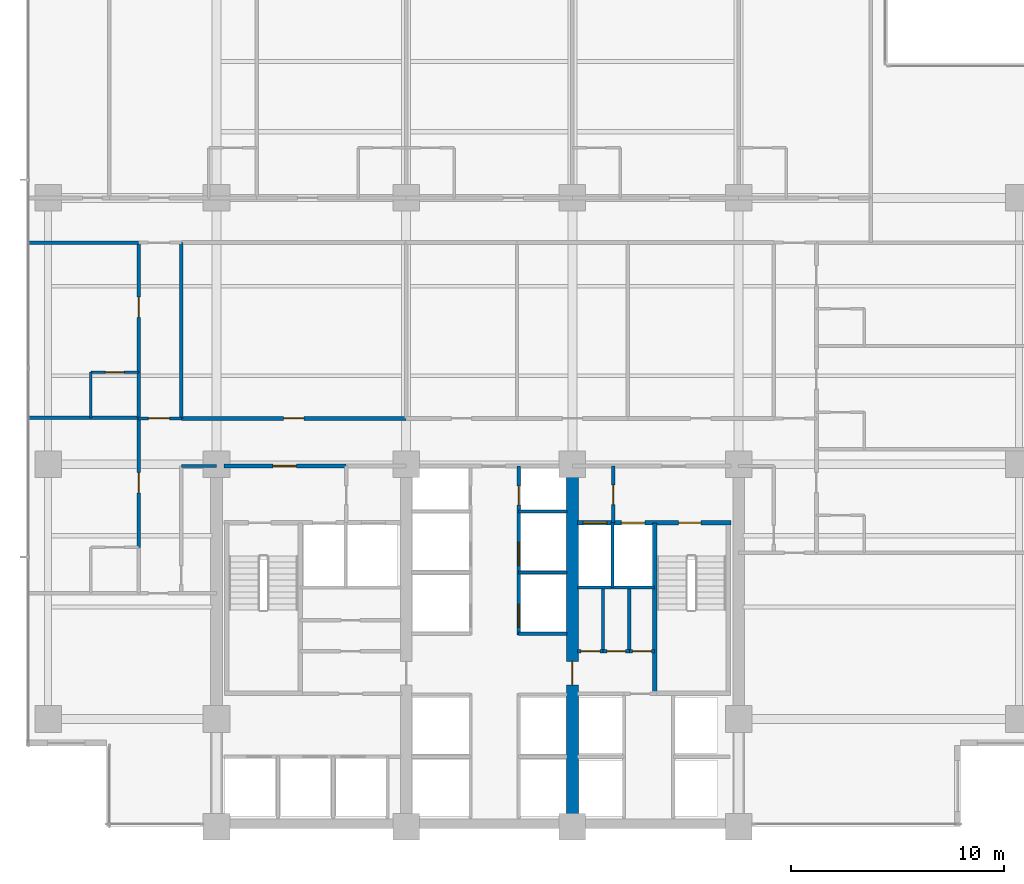
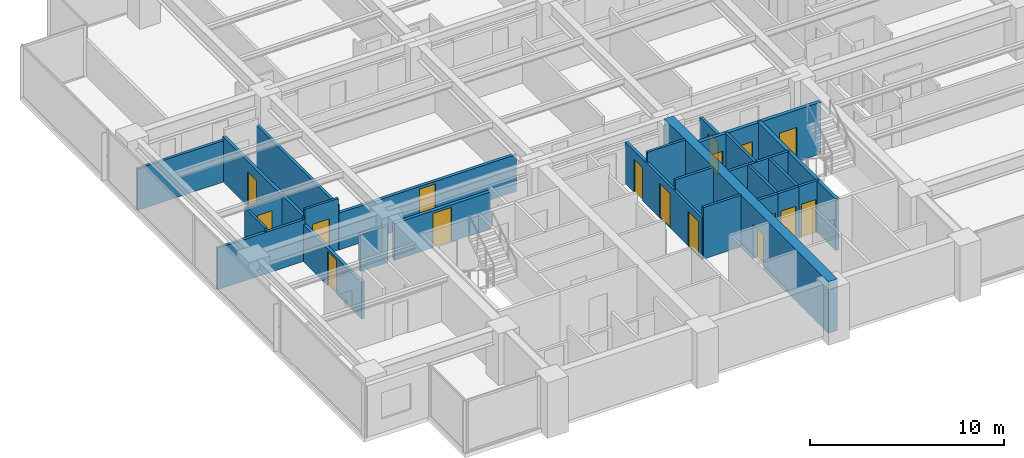
# One storey, part 9 of 17: 27 walls, 17 doors, 17 openings.
"""IFC4 building model written with IfcOpenShell, lengths in metres."""

import ifcopenshell
import ifcopenshell.guid

model = None  # the IFC model being written
_history = None  # IfcOwnerHistory: only IFC2X3 demands one
_inside = {}  # id of a spatial element -> (the spatial element, [elements in it])
_under = {}  # id of a project, library or spatial element -> (it, [spatial elements below it])
_declared = {}  # id of a project -> (the project, [libraries it declares])
_typed = {}  # id of a type object -> (the type object, [elements of that type])
_made_of = {}  # id of a material, layer set ... -> (it, [elements and type objects made of it])


def new_model(schema):
    """Start an empty IFC model of exactly this schema.

    Asked for "IFC4X3", IfcOpenShell would pick the latest addendum, in which some entities
    have other attributes; the version numbers below select the first issue.
    IFC2X3 requires an IfcOwnerHistory on every rooted entity: one is made here for all.
    """
    global model, _history
    if schema == "IFC4X3":
        model = ifcopenshell.file(schema_version=(4, 3, 0, 0))
    else:
        model = ifcopenshell.file(schema=schema)
    _inside.clear()
    _under.clear()
    _declared.clear()
    _typed.clear()
    _made_of.clear()
    _history = None
    if model.schema == "IFC2X3":
        org = make("IfcOrganization", Name="unknown")
        user = make(
            "IfcPersonAndOrganization",
            ThePerson=make("IfcPerson", FamilyName="unknown"),
            TheOrganization=org,
        )
        app = make(
            "IfcApplication",
            ApplicationDeveloper=org,
            Version="unknown",
            ApplicationFullName="unknown",
            ApplicationIdentifier="unknown",
        )
        _history = make(
            "IfcOwnerHistory",
            OwningUser=user,
            OwningApplication=app,
            ChangeAction="ADDED",
            CreationDate=0,
        )
    return model


def make(cls, **values):
    """One entity of the class cls with the attributes given. An attribute that is None is left unset."""
    return model.create_entity(
        cls, **{name: value for name, value in values.items() if value is not None}
    )


def rooted(cls, **values):
    """An entity with a GlobalId (a new one), such as an element, a storey or a relation."""
    return make(cls, GlobalId=ifcopenshell.guid.new(), OwnerHistory=_history, **values)


def si_unit(unit_type, name, prefix=None):
    """IfcSIUnit, for example si_unit("LENGTHUNIT", "METRE", prefix="MILLI")."""
    return make("IfcSIUnit", UnitType=unit_type, Prefix=prefix, Name=name)


def assignment(units):
    """IfcUnitAssignment: the units of a project."""
    return None if units is None else make("IfcUnitAssignment", Units=units)


def point(xyz):
    """IfcCartesianPoint."""
    return None if xyz is None else make("IfcCartesianPoint", Coordinates=xyz)


def direction(xyz):
    """IfcDirection."""
    return None if xyz is None else make("IfcDirection", DirectionRatios=xyz)


def frame(location, z_axis=None, x_axis=None):
    """IfcAxis2Placement3D, a coordinate frame: its origin and axes. An axis left out is left unset."""
    return make(
        "IfcAxis2Placement3D",
        Location=point(location),
        Axis=direction(z_axis),
        RefDirection=direction(x_axis),
    )


def frame_2d(location, x_axis=None):
    """IfcAxis2Placement2D, a coordinate frame in the plane: its origin and x axis."""
    return make(
        "IfcAxis2Placement2D", Location=point(location), RefDirection=direction(x_axis)
    )


def origin():
    """The frame at (0, 0, 0) with its axes left unset."""
    return frame((0.0, 0.0, 0.0))


def place(relative_to, where):
    """IfcLocalPlacement: puts the frame where relative to a parent placement (None: the world)."""
    return make(
        "IfcLocalPlacement", PlacementRelTo=relative_to, RelativePlacement=where
    )


def context(
    kind, dimensions, precision=None, world=None, true_north=None, identifier=None
):
    """IfcGeometricRepresentationContext, for example the 3D "Model" context."""
    return make(
        "IfcGeometricRepresentationContext",
        ContextIdentifier=identifier,
        ContextType=kind,
        CoordinateSpaceDimension=dimensions,
        Precision=precision,
        WorldCoordinateSystem=world,
        TrueNorth=true_north,
    )


def subcontext(parent, identifier, kind, view, scale=None):
    """IfcGeometricRepresentationSubContext, for example "Body" below "Model"."""
    return make(
        "IfcGeometricRepresentationSubContext",
        ContextIdentifier=identifier,
        ContextType=kind,
        ParentContext=parent,
        TargetScale=scale,
        TargetView=view,
    )


def project(units=None, contexts=None):
    """IfcProject with its units and contexts."""
    return rooted(
        "IfcProject",
        Name="project",
        RepresentationContexts=contexts,
        UnitsInContext=assignment(units),
    )


def spatial(cls, under=None, at=None, **own):
    """A site, building, storey or space (cls), placed at a placement, below another one or the project."""
    s = rooted(cls, ObjectPlacement=at, **own)
    if under is not None:
        _under.setdefault(under.id(), (under, []))[1].append(s)
    return s


def profile(cls, at=None, kind="AREA", **sizes):
    """A parametric profile (cls). Its sizes go by their IFC names, for example OverallWidth=200.0."""
    return make(cls, ProfileType=kind, Position=at, **sizes)


def rectangle(**sizes):
    """IfcRectangleProfileDef."""
    return profile("IfcRectangleProfileDef", **sizes)


def extrude(swept, where, along, depth):
    """IfcExtrudedAreaSolid: the profile swept, set in the frame where, extruded along a direction by depth."""
    return make(
        "IfcExtrudedAreaSolid",
        SweptArea=swept,
        Position=where,
        ExtrudedDirection=direction(along),
        Depth=depth,
    )


def shape(context_of_items, identifier, shape_type, items):
    """IfcShapeRepresentation: the items that make up one representation, for example the "Body"."""
    return make(
        "IfcShapeRepresentation",
        ContextOfItems=context_of_items,
        RepresentationIdentifier=identifier,
        RepresentationType=shape_type,
        Items=items,
    )


def material(Name=None, Category=None):
    """IfcMaterial."""
    return make("IfcMaterial", Name=Name, Category=Category)


def layer(
    of_material, thickness, ventilated=None, Name=None, Category=None, Priority=None
):
    """IfcMaterialLayer: one layer of a wall or slab, of a material (None: an air gap)."""
    return make(
        "IfcMaterialLayer",
        Material=of_material,
        LayerThickness=thickness,
        IsVentilated=ventilated,
        Name=Name,
        Category=Category,
        Priority=Priority,
    )


def layer_set(layers, Name=None):
    """IfcMaterialLayerSet."""
    return make("IfcMaterialLayerSet", MaterialLayers=layers, LayerSetName=Name)


def made_of(thing, what):
    """Note that an element or type object is made of a material, layer set ...; save() writes the relation."""
    if what is not None:
        _made_of.setdefault(what.id(), (what, []))[1].append(thing)
    return thing


def type_object(cls, material=None, **own):
    """A type object (cls), such as IfcWallType, which elements share."""
    return made_of(rooted(cls, **own), material)


def element(
    cls,
    number,
    at=None,
    inside=None,
    cuts=None,
    type_object=None,
    material=None,
    context=None,
    identifier="Body",
    shape_type=None,
    held_by="IfcProductDefinitionShape",
    body=None,
    shapes=None,
    **own,
):
    """One element of the class cls, such as IfcWall. Its Tag is "e" and its number.

    at: its placement. inside: the storey or other place that contains it. cuts: it is an
    opening in that element (IfcRelVoidsElement). A single representation is given by context,
    identifier, shape_type and body (its items); several are given by shapes. held_by: the class
    of the entity that holds the representations. save() writes the other relations.
    """
    e = rooted(cls, Tag="e%d" % number, ObjectPlacement=at, **own)
    if body is not None:
        shapes = [shape(context, identifier, shape_type, body)]
    if shapes is not None:
        e.Representation = make(held_by, Representations=shapes)
    if inside is not None:
        _inside.setdefault(inside.id(), (inside, []))[1].append(e)
    if cuts is not None:
        rooted(
            "IfcRelVoidsElement", RelatingBuildingElement=cuts, RelatedOpeningElement=e
        )
    if type_object is not None:
        _typed.setdefault(type_object.id(), (type_object, []))[1].append(e)
    return made_of(e, material)


def fill(opening, filler):
    """IfcRelFillsElement: the door or window that sits in an opening."""
    return rooted(
        "IfcRelFillsElement",
        RelatingOpeningElement=opening,
        RelatedBuildingElement=filler,
    )


def aggregate(whole, parts):
    """IfcRelAggregates: a whole, such as a stair, and the parts it consists of."""
    return rooted("IfcRelAggregates", RelatingObject=whole, RelatedObjects=parts)


def save(model, path):
    """Write the relations noted so far, then the file.

    IfcRelAggregates (storeys below a building ...), IfcRelContainedInSpatialStructure (elements
    in a storey), IfcRelDefinesByType, IfcRelAssociatesMaterial and IfcRelDeclares: one each for
    every whole, place, type object, material and project.
    """
    for whole, parts in _under.values():
        aggregate(whole, parts)
    for where, things in _inside.values():
        rooted(
            "IfcRelContainedInSpatialStructure",
            RelatedElements=things,
            RelatingStructure=where,
        )
    for kind, things in _typed.values():
        rooted("IfcRelDefinesByType", RelatedObjects=things, RelatingType=kind)
    for what, things in _made_of.values():
        rooted("IfcRelAssociatesMaterial", RelatedObjects=things, RelatingMaterial=what)
    for by, libraries in _declared.values():
        rooted("IfcRelDeclares", RelatingContext=by, RelatedDefinitions=libraries)
    model.write(path)


model = new_model("IFC4")

# Units and contexts
model_context = context("Model", 3, precision=1e-05, world=origin(), true_north=direction((0.0, 1.0)))
body_context = subcontext(model_context, "Body", "Model", "MODEL_VIEW")
ifc_project = project(units=[si_unit("LENGTHUNIT", "METRE"), si_unit("AREAUNIT", "SQUARE_METRE"), si_unit("VOLUMEUNIT", "CUBIC_METRE"), si_unit("PLANEANGLEUNIT", "RADIAN"), si_unit("MASSUNIT", "GRAM", prefix="KILO")], contexts=[model_context])

# Site, building, storey
site_placement = place(None, origin())
site = spatial("IfcSite", under=ifc_project, at=site_placement, CompositionType="ELEMENT")
building_placement = place(site_placement, origin())
building = spatial("IfcBuilding", under=site, at=building_placement, Name="Qalmaran Belvedere Hotel", CompositionType="ELEMENT")
storey_placement = place(building_placement, frame((0.0, 0.0, 88.199951171875)))
storey = spatial("IfcBuildingStorey", under=building, at=storey_placement, Name="L21", CompositionType="ELEMENT", Elevation=88.199951171875)

# Wall, opening, door
ifc_material_1 = material(Name="Concrete C60/75", Category="concrete")
ifc_layer_1 = layer(ifc_material_1, 0.550048828125, Name="Concrete C60/75")
ifc_layer_set_1 = layer_set([ifc_layer_1], Name="Concrete C60/75")
wall_type_1 = type_object("IfcWallType", Name="WL-CORE-550-C60", PredefinedType="SHEAR", material=ifc_layer_set_1)
wall_1_placement = place(storey_placement, frame((37.0, 3.5, 0.0), z_axis=(0.0, 0.0, 1.0), x_axis=(0.0, 1.0, 0.0)))
wall_1 = element("IfcWall", 1, at=wall_1_placement, inside=storey, type_object=wall_type_1, Name="L21 Core East Spine Shear Wall", PredefinedType="SHEAR", context=body_context, shape_type="SweptSolid", body=[
    extrude(rectangle(XDim=16.89990234375, YDim=0.550048828125, at=frame_2d((8.449951171875, 0.0))), origin(), (0.0, 0.0, 1.0), 3.239990234375),
])
opening_1_placement = place(wall_1_placement, frame((6.64990234375, 0.0, 0.0)))
opening_1 = element("IfcOpeningElement", 2, at=opening_1_placement, cuts=wall_1, Name="Opening FD90", PredefinedType="OPENING", context=body_context, shape_type="SweptSolid", body=[
    extrude(rectangle(XDim=1.10009765625, YDim=2.14990234375, at=frame_2d((0.550048828125, 1.074951171875))), frame((0.0, 0.28515625, 0.0), z_axis=(0.0, -1.0, 0.0), x_axis=(1.0, 0.0, 0.0)), (0.0, 0.0, 1.0), 0.570068359375),
])
ifc_material_2 = material(Name="Steel S355JR", Category="steel")
door_type_1 = type_object("IfcDoorType", Name="DR-FD90-1100X2150", OperationType="NOTDEFINED", PredefinedType="DOOR", material=ifc_material_2)
door_1_placement = place(opening_1_placement, origin())
door_1 = element("IfcDoor", 3, at=door_1_placement, inside=storey, type_object=door_type_1, Name="L21 Core East Cross-Lobby Door", OperationType="SINGLE_SWING_RIGHT", OverallHeight=2.14990234375, OverallWidth=1.10009765625, PredefinedType="DOOR", context=body_context, shape_type="SweptSolid", body=[
    extrude(rectangle(XDim=1.10009765625, YDim=2.14990234375, at=frame_2d((0.550048828125, 1.074951171875))), frame((0.0, 0.02490234375, 0.0), z_axis=(0.0, -1.0, 0.0), x_axis=(1.0, 0.0, 0.0)), (0.0, 0.0, 1.0), 0.050048828125),
])
fill(opening_1, door_1)

ifc_material_3 = material(Name="Moisture-Resistant Gypsum")
ifc_layer_2 = layer(ifc_material_3, 0.1201171875, Name="Moisture-Resistant Gypsum")
ifc_layer_set_2 = layer_set([ifc_layer_2], Name="Moisture-Resistant Gypsum")
wall_type_2 = type_object("IfcWallType", Name="WL-INT-120-BATH", PredefinedType="PARTITIONING", material=ifc_layer_set_2)
wall_2_placement = place(storey_placement, frame((14.39990234375, 24.824951171875, 0.0), z_axis=(0.0, 0.0, 1.0), x_axis=(1.0, 0.0, 0.0)))
wall_2 = element("IfcWall", 4, at=wall_2_placement, inside=storey, type_object=wall_type_2, Name="L21 Partition WL-L21-WBN01", PredefinedType="PARTITIONING", context=body_context, shape_type="SweptSolid", body=[
    extrude(rectangle(XDim=2.25, YDim=0.1201171875, at=frame_2d((1.125, 0.0))), origin(), (0.0, 0.0, 1.0), 2.818115234375),
])
opening_2_placement = place(wall_2_placement, frame((1.56494140625, 0.0, 0.0), z_axis=(0.0, 0.0, 1.0), x_axis=(-1.0, 0.0, 0.0)))
opening_2 = element("IfcOpeningElement", 5, at=opening_2_placement, cuts=wall_2, Name="Opening D-BATH", PredefinedType="OPENING", context=body_context, shape_type="SweptSolid", body=[
    extrude(rectangle(XDim=0.8798828125, YDim=2.080078125, at=frame_2d((0.43994140625, 1.0400390625))), frame((0.0, 0.070068359375, 0.0), z_axis=(0.0, -1.0, 0.0), x_axis=(1.0, 0.0, 0.0)), (0.0, 0.0, 1.0), 0.14013671875),
])
ifc_material_4 = material(Name="Engineered Oak Veneer")
door_type_2 = type_object("IfcDoorType", Name="DR-INT-BATH-880X2080", OperationType="NOTDEFINED", PredefinedType="DOOR", material=ifc_material_4)
door_2_placement = place(opening_2_placement, origin())
door_2 = element("IfcDoor", 6, at=door_2_placement, inside=storey, type_object=door_type_2, Name="L21 W Ensuite Door 02", OperationType="SINGLE_SWING_LEFT", OverallHeight=2.080078125, OverallWidth=0.8798828125, PredefinedType="DOOR", context=body_context, shape_type="SweptSolid", body=[
    extrude(rectangle(XDim=0.8798828125, YDim=2.080078125, at=frame_2d((0.43994140625, 1.0400390625))), frame((0.0, 0.02490234375, 0.0), z_axis=(0.0, -1.0, 0.0), x_axis=(1.0, 0.0, 0.0)), (0.0, 0.0, 1.0), 0.050048828125),
])
fill(opening_2, door_2)

# Walls
wall_3_placement = place(storey_placement, frame((14.39990234375, 22.675048828125, 0.0), z_axis=(0.0, 0.0, 1.0), x_axis=(0.0, 1.0, 0.0)))
element("IfcWall", 7, at=wall_3_placement, inside=storey, type_object=wall_type_2, Name="L21 Partition WL-L21-WBS01", PredefinedType="PARTITIONING", context=body_context, shape_type="SweptSolid", body=[
    extrude(rectangle(XDim=2.14990234375, YDim=0.1201171875, at=frame_2d((1.074951171875, 0.0))), origin(), (0.0, 0.0, 1.0), 2.818115234375),
])
ifc_material_5 = material(Name="Gypsum Stud Partition")
ifc_layer_3 = layer(ifc_material_5, 0.14990234375, Name="Gypsum Stud Partition")
ifc_layer_set_3 = layer_set([ifc_layer_3], Name="Gypsum Stud Partition")
wall_type_3 = type_object("IfcWallType", Name="WL-INT-150-EI120", PredefinedType="PARTITIONING", material=ifc_layer_set_3)
wall_4_placement = place(storey_placement, frame((38.8798828125, 14.719970703125, 0.0), z_axis=(0.0, 0.0, 1.0), x_axis=(0.0, 1.0, 0.0)))
element("IfcWall", 8, at=wall_4_placement, inside=storey, type_object=wall_type_3, Name="L21 Partition WL-FF2M-L21", PredefinedType="PARTITIONING", context=body_context, shape_type="SweptSolid", body=[
    extrude(rectangle(XDim=3.0400390625, YDim=0.14990234375, at=frame_2d((1.52001953125, 0.0))), origin(), (0.0, 0.0, 1.0), 3.239990234375),
])
for number, where, z_axis, x_axis, name in (
    (9, (34.47998046875, 12.550048828125, 0.0), (0.0, 0.0, 1.0), (1.0, 0.0, 0.0), "L21 Partition WL-PME-L21-125"),
    (10, (34.47998046875, 15.419921875, 0.0), (0.0, 0.0, 1.0), (1.0, 0.0, 0.0), "L21 Partition WL-PME-L21-154"),
    (11, (34.47998046875, 18.280029296875, 0.0), (0.0, 0.0, 1.0), (1.0, 0.0, 0.0), "L21 Partition WL-PME-L21-182"),
):
    element("IfcWall", number, at=place(storey_placement, frame(where, z_axis=z_axis, x_axis=x_axis)), inside=storey, type_object=wall_type_3, Name=name, PredefinedType="PARTITIONING", context=body_context, shape_type="SweptSolid", body=[
        extrude(rectangle(XDim=2.27001953125, YDim=0.14990234375, at=frame_2d((1.135009765625, 0.0))), origin(), (0.0, 0.0, 1.0), 3.239990234375),
    ])
ifc_layer_4 = layer(ifc_material_5, 0.14990234375, Name="Gypsum Stud Partition")
ifc_layer_set_4 = layer_set([ifc_layer_4], Name="Gypsum Stud Partition")
wall_type_4 = type_object("IfcWallType", Name="WL-INT-150-EI60", PredefinedType="PARTITIONING", material=ifc_layer_set_4)
for number, where, z_axis, x_axis, name in (
    (12, (38.44140625, 11.719970703125, 0.0), (0.0, 0.0, 1.0), (0.0, 1.0, 0.0), "L21 Partition WL-L21-KEV1"),
    (13, (39.668701171875, 11.719970703125, 0.0), (0.0, 0.0, 1.0), (0.0, 1.0, 0.0), "L21 Partition WL-L21-KEV2"),
):
    element("IfcWall", number, at=place(storey_placement, frame(where, z_axis=z_axis, x_axis=x_axis)), inside=storey, type_object=wall_type_4, Name=name, PredefinedType="PARTITIONING", context=body_context, shape_type="SweptSolid", body=[
        extrude(rectangle(XDim=2.929931640625, YDim=0.14990234375, at=frame_2d((1.46484375, 0.0))), origin(), (0.0, 0.0, 1.0), 3.239990234375),
    ])

# Wall, opening, door
wall_5_placement = place(storey_placement, frame((16.64990234375, 22.64990234375, 0.0), z_axis=(0.0, 0.0, 1.0), x_axis=(1.0, 0.0, 0.0)))
wall_5 = element("IfcWall", 14, at=wall_5_placement, inside=storey, type_object=wall_type_4, Name="L21 Partition WL-L21-XCW1", PredefinedType="PARTITIONING", context=body_context, shape_type="SweptSolid", body=[
    extrude(rectangle(XDim=2.0, YDim=0.14990234375, at=frame_2d((1.0, 0.0))), origin(), (0.0, 0.0, 1.0), 3.239990234375),
])
opening_3_placement = place(wall_5_placement, frame((0.449951171875, 0.0, 0.0)))
opening_3 = element("IfcOpeningElement", 15, at=opening_3_placement, cuts=wall_5, Name="Opening FD90B", PredefinedType="OPENING", context=body_context, shape_type="SweptSolid", body=[
    extrude(rectangle(XDim=1.0, YDim=2.14990234375, at=frame_2d((0.5, 1.074951171875))), frame((0.0, 0.0849609375, 0.0), z_axis=(0.0, -1.0, 0.0), x_axis=(1.0, 0.0, 0.0)), (0.0, 0.0, 1.0), 0.169921875),
])
door_type_3 = type_object("IfcDoorType", Name="DR-FD90B-1000X2150", OperationType="NOTDEFINED", PredefinedType="DOOR", material=ifc_material_2)
door_3_placement = place(opening_3_placement, origin())
door_3 = element("IfcDoor", 16, at=door_3_placement, inside=storey, type_object=door_type_3, Name="L21 West Corridor Smoke Door S", OperationType="SINGLE_SWING_LEFT", OverallHeight=2.14990234375, OverallWidth=1.0, PredefinedType="DOOR", context=body_context, shape_type="SweptSolid", body=[
    extrude(rectangle(XDim=1.0, YDim=2.14990234375, at=frame_2d((0.5, 1.074951171875))), frame((0.0, 0.02490234375, 0.0), z_axis=(0.0, -1.0, 0.0), x_axis=(1.0, 0.0, 0.0)), (0.0, 0.0, 1.0), 0.050048828125),
])
fill(opening_3, door_3)

ifc_layer_5 = layer(ifc_material_5, 0.159912109375, Name="Gypsum Stud Partition")
ifc_layer_set_5 = layer_set([ifc_layer_5], Name="Gypsum Stud Partition")
wall_type_5 = type_object("IfcWallType", Name="WL-INT-160-EI120", PredefinedType="PARTITIONING", material=ifc_layer_set_5)
wall_6_placement = place(storey_placement, frame((38.919921875, 17.760009765625, 0.0), z_axis=(0.0, 0.0, 1.0), x_axis=(0.0, 1.0, 0.0)))
wall_6 = element("IfcWall", 17, at=wall_6_placement, inside=storey, type_object=wall_type_5, Name="L21 Partition WL-FFSV2-L21", PredefinedType="PARTITIONING", context=body_context, shape_type="SweptSolid", body=[
    extrude(rectangle(XDim=2.659912109375, YDim=0.159912109375, at=frame_2d((1.330078125, 0.0))), origin(), (0.0, 0.0, 1.0), 2.614013671875),
])
opening_4_placement = place(wall_6_placement, frame((1.77001953125, 0.0, 0.0), z_axis=(0.0, 0.0, 1.0), x_axis=(-1.0, 0.0, 0.0)))
opening_4 = element("IfcOpeningElement", 18, at=opening_4_placement, cuts=wall_6, Name="Opening FD60S1", PredefinedType="OPENING", context=body_context, shape_type="SweptSolid", body=[
    extrude(rectangle(XDim=0.919921875, YDim=2.080078125, at=frame_2d((0.4599609375, 1.0400390625))), frame((0.0, 0.08984375, 0.0), z_axis=(0.0, -1.0, 0.0), x_axis=(1.0, 0.0, 0.0)), (0.0, 0.0, 1.0), 0.179931640625),
])
door_type_4 = type_object("IfcDoorType", Name="DR-FD60S-920X2080", OperationType="NOTDEFINED", PredefinedType="DOOR", material=ifc_material_4)
door_4_placement = place(opening_4_placement, origin())
door_4 = element("IfcDoor", 19, at=door_4_placement, inside=storey, type_object=door_type_4, Name="L21 Service Lobby East Door", OperationType="SINGLE_SWING_RIGHT", OverallHeight=2.080078125, OverallWidth=0.919921875, PredefinedType="DOOR", context=body_context, shape_type="SweptSolid", body=[
    extrude(rectangle(XDim=0.919921875, YDim=2.080078125, at=frame_2d((0.4599609375, 1.0400390625))), frame((0.0, 0.02490234375, 0.0), z_axis=(0.0, -1.0, 0.0), x_axis=(1.0, 0.0, 0.0)), (0.0, 0.0, 1.0), 0.050048828125),
])
fill(opening_4, door_4)

# Wall
wall_7_placement = place(storey_placement, frame((37.25, 14.719970703125, 0.0), z_axis=(0.0, 0.0, 1.0), x_axis=(1.0, 0.0, 0.0)))
element("IfcWall", 20, at=wall_7_placement, inside=storey, type_object=wall_type_5, Name="L21 Partition WL-FF2S-L21", PredefinedType="PARTITIONING", context=body_context, shape_type="SweptSolid", body=[
    extrude(rectangle(XDim=3.610107421875, YDim=0.159912109375, at=frame_2d((1.80517578125, 0.0))), origin(), (0.0, 0.0, 1.0), 3.239990234375),
])

# Wall, openings, doors
wall_8_placement = place(storey_placement, frame((34.47998046875, 12.5, 0.0), z_axis=(0.0, 0.0, 1.0), x_axis=(0.0, 1.0, 0.0)))
wall_8 = element("IfcWall", 21, at=wall_8_placement, inside=storey, type_object=wall_type_5, Name="L21 Partition WL-CLBEN-L21", PredefinedType="PARTITIONING", context=body_context, shape_type="SweptSolid", body=[
    extrude(rectangle(XDim=7.919921875, YDim=0.159912109375, at=frame_2d((3.9599609375, 0.0))), origin(), (0.0, 0.0, 1.0), 2.614013671875),
])
opening_5_placement = place(wall_8_placement, frame((0.35009765625, 0.0, 0.0)))
opening_5 = element("IfcOpeningElement", 22, at=opening_5_placement, cuts=wall_8, Name="Opening LD-P1", PredefinedType="OPENING", context=body_context, shape_type="SweptSolid", body=[
    extrude(rectangle(XDim=1.080078125, YDim=2.159912109375, at=frame_2d((0.5400390625, 1.080078125))), frame((0.0, 0.08984375, 0.0), z_axis=(0.0, -1.0, 0.0), x_axis=(1.0, 0.0, 0.0)), (0.0, 0.0, 1.0), 0.179931640625),
])
opening_6_placement = place(wall_8_placement, frame((3.25, 0.0, 0.0)))
opening_6 = element("IfcOpeningElement", 23, at=opening_6_placement, cuts=wall_8, Name="Opening LD-P1", PredefinedType="OPENING", context=body_context, shape_type="SweptSolid", body=[
    extrude(rectangle(XDim=1.080078125, YDim=2.159912109375, at=frame_2d((0.5400390625, 1.080078125))), frame((0.0, 0.08984375, 0.0), z_axis=(0.0, -1.0, 0.0), x_axis=(1.0, 0.0, 0.0)), (0.0, 0.0, 1.0), 0.179931640625),
])
opening_7_placement = place(wall_8_placement, frame((6.97998046875, 0.0, 0.0), z_axis=(0.0, 0.0, 1.0), x_axis=(-1.0, 0.0, 0.0)))
opening_7 = element("IfcOpeningElement", 24, at=opening_7_placement, cuts=wall_8, Name="Opening FD60B", PredefinedType="OPENING", context=body_context, shape_type="SweptSolid", body=[
    extrude(rectangle(XDim=0.8798828125, YDim=2.080078125, at=frame_2d((0.43994140625, 1.0400390625))), frame((0.0, 0.08984375, 0.0), z_axis=(0.0, -1.0, 0.0), x_axis=(1.0, 0.0, 0.0)), (0.0, 0.0, 1.0), 0.179931640625),
])
door_type_5 = type_object("IfcDoorType", Name="DR-FD60B-880X2080", OperationType="NOTDEFINED", PredefinedType="DOOR", material=ifc_material_2)
door_5_placement = place(opening_7_placement, origin())
door_5 = element("IfcDoor", 25, at=door_5_placement, inside=storey, type_object=door_type_5, Name="L21 East Riser Access Door", OperationType="SINGLE_SWING_RIGHT", OverallHeight=2.080078125, OverallWidth=0.8798828125, PredefinedType="DOOR", context=body_context, shape_type="SweptSolid", body=[
    extrude(rectangle(XDim=0.8798828125, YDim=2.080078125, at=frame_2d((0.43994140625, 1.0400390625))), frame((0.0, 0.02490234375, 0.0), z_axis=(0.0, -1.0, 0.0), x_axis=(1.0, 0.0, 0.0)), (0.0, 0.0, 1.0), 0.050048828125),
])
fill(opening_7, door_5)
ifc_material_6 = material(Name="Stainless Steel 1.4401", Category="steel")
door_type_6 = type_object("IfcDoorType", Name="DR-LIFT-P1-1080X2160", OperationType="DOUBLE_DOOR_SLIDING", PredefinedType="DOOR", material=ifc_material_6)
door_6_placement = place(opening_5_placement, origin())
door_6 = element("IfcDoor", 26, at=door_6_placement, inside=storey, type_object=door_type_6, Name="L21 PM3 Lift Landing Door", OperationType="DOUBLE_DOOR_SLIDING", OverallHeight=2.159912109375, OverallWidth=1.080078125, PredefinedType="DOOR", context=body_context, shape_type="SweptSolid", body=[
    extrude(rectangle(XDim=1.080078125, YDim=2.159912109375, at=frame_2d((0.5400390625, 1.080078125))), frame((0.0, 0.02490234375, 0.0), z_axis=(0.0, -1.0, 0.0), x_axis=(1.0, 0.0, 0.0)), (0.0, 0.0, 1.0), 0.050048828125),
])
fill(opening_5, door_6)
door_7_placement = place(opening_6_placement, origin())
door_7 = element("IfcDoor", 27, at=door_7_placement, inside=storey, type_object=door_type_6, Name="L21 PM4 Lift Landing Door", OperationType="DOUBLE_DOOR_SLIDING", OverallHeight=2.159912109375, OverallWidth=1.080078125, PredefinedType="DOOR", context=body_context, shape_type="SweptSolid", body=[
    extrude(rectangle(XDim=1.080078125, YDim=2.159912109375, at=frame_2d((0.5400390625, 1.080078125))), frame((0.0, 0.02490234375, 0.0), z_axis=(0.0, -1.0, 0.0), x_axis=(1.0, 0.0, 0.0)), (0.0, 0.0, 1.0), 0.050048828125),
])
fill(opening_6, door_7)

# Wall, opening, door
ifc_layer_6 = layer(ifc_material_5, 0.159912109375, Name="Gypsum Stud Partition")
ifc_layer_set_6 = layer_set([ifc_layer_6], Name="Gypsum Stud Partition")
wall_type_6 = type_object("IfcWallType", Name="WL-INT-160-EI60", PredefinedType="PARTITIONING", material=ifc_layer_set_6)
wall_9_placement = place(storey_placement, frame((37.25, 11.719970703125, 0.0), z_axis=(0.0, 0.0, 1.0), x_axis=(1.0, 0.0, 0.0)))
wall_9 = element("IfcWall", 28, at=wall_9_placement, inside=storey, type_object=wall_type_6, Name="L21 Partition WL-L21-KEE1", PredefinedType="PARTITIONING", context=body_context, shape_type="SweptSolid", body=[
    extrude(rectangle(XDim=1.19140625, YDim=0.159912109375, at=frame_2d((0.595703125, 0.0))), origin(), (0.0, 0.0, 1.0), 3.239990234375),
])
opening_8_placement = place(wall_9_placement, frame((0.155517578125, 0.0, 0.0)))
opening_8 = element("IfcOpeningElement", 29, at=opening_8_placement, cuts=wall_9, Name="Opening FD60B", PredefinedType="OPENING", context=body_context, shape_type="SweptSolid", body=[
    extrude(rectangle(XDim=0.8798828125, YDim=2.080078125, at=frame_2d((0.43994140625, 1.0400390625))), frame((0.0, 0.08984375, 0.0), z_axis=(0.0, -1.0, 0.0), x_axis=(1.0, 0.0, 0.0)), (0.0, 0.0, 1.0), 0.179931640625),
])
door_8_placement = place(opening_8_placement, origin())
door_8 = element("IfcDoor", 30, at=door_8_placement, inside=storey, type_object=door_type_5, Name="L21 Hotel Linen Closet Door", OperationType="SINGLE_SWING_RIGHT", OverallHeight=2.080078125, OverallWidth=0.8798828125, PredefinedType="DOOR", context=body_context, shape_type="SweptSolid", body=[
    extrude(rectangle(XDim=0.8798828125, YDim=2.080078125, at=frame_2d((0.43994140625, 1.0400390625))), frame((0.0, 0.02490234375, 0.0), z_axis=(0.0, -1.0, 0.0), x_axis=(1.0, 0.0, 0.0)), (0.0, 0.0, 1.0), 0.050048828125),
])
fill(opening_8, door_8)

wall_10_placement = place(storey_placement, frame((38.44140625, 11.719970703125, 0.0), z_axis=(0.0, 0.0, 1.0), x_axis=(1.0, 0.0, 0.0)))
wall_10 = element("IfcWall", 31, at=wall_10_placement, inside=storey, type_object=wall_type_6, Name="L21 Partition WL-L21-KEE2", PredefinedType="PARTITIONING", context=body_context, shape_type="SweptSolid", body=[
    extrude(rectangle(XDim=1.227294921875, YDim=0.159912109375, at=frame_2d((0.61376953125, 0.0))), origin(), (0.0, 0.0, 1.0), 3.239990234375),
])
opening_9_placement = place(wall_10_placement, frame((0.173583984375, 0.0, 0.0)))
opening_9 = element("IfcOpeningElement", 32, at=opening_9_placement, cuts=wall_10, Name="Opening FD60B", PredefinedType="OPENING", context=body_context, shape_type="SweptSolid", body=[
    extrude(rectangle(XDim=0.8798828125, YDim=2.080078125, at=frame_2d((0.43994140625, 1.0400390625))), frame((0.0, 0.08984375, 0.0), z_axis=(0.0, -1.0, 0.0), x_axis=(1.0, 0.0, 0.0)), (0.0, 0.0, 1.0), 0.179931640625),
])
door_9_placement = place(opening_9_placement, origin())
door_9 = element("IfcDoor", 33, at=door_9_placement, inside=storey, type_object=door_type_5, Name="L21 Guest Ice and Beverage Pantry Door", OperationType="SINGLE_SWING_LEFT", OverallHeight=2.080078125, OverallWidth=0.8798828125, PredefinedType="DOOR", context=body_context, shape_type="SweptSolid", body=[
    extrude(rectangle(XDim=0.8798828125, YDim=2.080078125, at=frame_2d((0.43994140625, 1.0400390625))), frame((0.0, 0.02490234375, 0.0), z_axis=(0.0, -1.0, 0.0), x_axis=(1.0, 0.0, 0.0)), (0.0, 0.0, 1.0), 0.050048828125),
])
fill(opening_9, door_9)

wall_11_placement = place(storey_placement, frame((39.668701171875, 11.719970703125, 0.0), z_axis=(0.0, 0.0, 1.0), x_axis=(1.0, 0.0, 0.0)))
wall_11 = element("IfcWall", 34, at=wall_11_placement, inside=storey, type_object=wall_type_6, Name="L21 Partition WL-L21-KEE3", PredefinedType="PARTITIONING", context=body_context, shape_type="SweptSolid", body=[
    extrude(rectangle(XDim=1.19140625, YDim=0.159912109375, at=frame_2d((0.595703125, 0.0))), origin(), (0.0, 0.0, 1.0), 3.239990234375),
])
opening_10_placement = place(wall_11_placement, frame((0.155517578125, 0.0, 0.0)))
opening_10 = element("IfcOpeningElement", 35, at=opening_10_placement, cuts=wall_11, Name="Opening FD60B", PredefinedType="OPENING", context=body_context, shape_type="SweptSolid", body=[
    extrude(rectangle(XDim=0.8798828125, YDim=2.080078125, at=frame_2d((0.43994140625, 1.0400390625))), frame((0.0, 0.08984375, 0.0), z_axis=(0.0, -1.0, 0.0), x_axis=(1.0, 0.0, 0.0)), (0.0, 0.0, 1.0), 0.179931640625),
])
door_10_placement = place(opening_10_placement, origin())
door_10 = element("IfcDoor", 36, at=door_10_placement, inside=storey, type_object=door_type_5, Name="L21 Cleaner Equipment Store Door", OperationType="SINGLE_SWING_RIGHT", OverallHeight=2.080078125, OverallWidth=0.8798828125, PredefinedType="DOOR", context=body_context, shape_type="SweptSolid", body=[
    extrude(rectangle(XDim=0.8798828125, YDim=2.080078125, at=frame_2d((0.43994140625, 1.0400390625))), frame((0.0, 0.02490234375, 0.0), z_axis=(0.0, -1.0, 0.0), x_axis=(1.0, 0.0, 0.0)), (0.0, 0.0, 1.0), 0.050048828125),
])
fill(opening_10, door_10)

# Walls
wall_12_placement = place(storey_placement, frame((18.64990234375, 20.419921875, 0.0), z_axis=(0.0, 0.0, 1.0), x_axis=(1.0, 0.0, 0.0)))
element("IfcWall", 37, at=wall_12_placement, inside=storey, type_object=wall_type_6, Name="L21 Partition WL-L21-WCLN", PredefinedType="PARTITIONING", context=body_context, shape_type="SweptSolid", body=[
    extrude(rectangle(XDim=1.650146484375, YDim=0.159912109375, at=frame_2d((0.8251953125, 0.0))), origin(), (0.0, 0.0, 1.0), 2.31298828125),
])
wall_13_placement = place(storey_placement, frame((18.64990234375, 22.64990234375, 0.0), z_axis=(0.0, 0.0, 1.0), x_axis=(0.0, 1.0, 0.0)))
element("IfcWall", 38, at=wall_13_placement, inside=storey, type_object=wall_type_6, Name="L21 Partition WL-L21-MIDVL", PredefinedType="PARTITIONING", context=body_context, shape_type="SweptSolid", body=[
    extrude(rectangle(XDim=8.25, YDim=0.159912109375, at=frame_2d((4.125, 0.0))), origin(), (0.0, 0.0, 1.0), 2.818115234375),
])
for number, where, z_axis, x_axis, name in (
    (39, (11.469970703125, 22.675048828125, 0.0), (0.0, 0.0, 1.0), (1.0, 0.0, 0.0), "L21 Partition WL-L21-WU00"),
    (40, (11.469970703125, 30.89990234375, 0.0), (0.0, 0.0, 1.0), (1.0, 0.0, 0.0), "L21 Partition WL-L21-WU01"),
):
    element("IfcWall", number, at=place(storey_placement, frame(where, z_axis=z_axis, x_axis=x_axis)), inside=storey, type_object=wall_type_6, Name=name, PredefinedType="PARTITIONING", context=body_context, shape_type="SweptSolid", body=[
        extrude(rectangle(XDim=5.179931640625, YDim=0.159912109375, at=frame_2d((2.58984375, 0.0))), origin(), (0.0, 0.0, 1.0), 2.60302734375),
    ])

# Wall, opening, door
ifc_layer_7 = layer(ifc_material_5, 0.179931640625, Name="Gypsum Stud Partition")
ifc_layer_set_7 = layer_set([ifc_layer_7], Name="Gypsum Stud Partition")
wall_type_7 = type_object("IfcWallType", Name="WL-INT-180-EI60", PredefinedType="PARTITIONING", material=ifc_layer_set_7)
wall_14_placement = place(storey_placement, frame((18.64990234375, 22.64990234375, 0.0), z_axis=(0.0, 0.0, 1.0), x_axis=(1.0, 0.0, 0.0)))
wall_14 = element("IfcWall", 41, at=wall_14_placement, inside=storey, type_object=wall_type_7, Name="L21 Partition WL-L21-MIDD1", PredefinedType="PARTITIONING", context=body_context, shape_type="SweptSolid", body=[
    extrude(rectangle(XDim=10.550048828125, YDim=0.179931640625, at=frame_2d((5.27490234375, 0.0))), origin(), (0.0, 0.0, 1.0), 2.31298828125),
])
opening_11_placement = place(wall_14_placement, frame((4.800048828125, 0.0, 0.0)))
opening_11 = element("IfcOpeningElement", 42, at=opening_11_placement, cuts=wall_14, Name="Opening FD60", PredefinedType="OPENING", context=body_context, shape_type="SweptSolid", body=[
    extrude(rectangle(XDim=0.949951171875, YDim=2.14990234375, at=frame_2d((0.47509765625, 1.074951171875))), frame((0.0, 0.10009765625, 0.0), z_axis=(0.0, -1.0, 0.0), x_axis=(1.0, 0.0, 0.0)), (0.0, 0.0, 1.0), 0.199951171875),
])
door_type_7 = type_object("IfcDoorType", Name="DR-FD60-950X2150", OperationType="NOTDEFINED", PredefinedType="DOOR", material=ifc_material_4)
door_11_placement = place(opening_11_placement, origin())
door_11 = element("IfcDoor", 43, at=door_11_placement, inside=storey, type_object=door_type_7, Name="L21 Housekeeping and Linen Room Door", OperationType="SINGLE_SWING_LEFT", OverallHeight=2.14990234375, OverallWidth=0.949951171875, PredefinedType="DOOR", context=body_context, shape_type="SweptSolid", body=[
    extrude(rectangle(XDim=0.949951171875, YDim=2.14990234375, at=frame_2d((0.47509765625, 1.074951171875))), frame((0.0, 0.02490234375, 0.0), z_axis=(0.0, -1.0, 0.0), x_axis=(1.0, 0.0, 0.0)), (0.0, 0.0, 1.0), 0.050048828125),
])
fill(opening_11, door_11)

wall_15_placement = place(storey_placement, frame((16.64990234375, 16.60009765625, 0.0), z_axis=(0.0, 0.0, 1.0), x_axis=(0.0, 1.0, 0.0)))
wall_15 = element("IfcWall", 44, at=wall_15_placement, inside=storey, type_object=wall_type_7, Name="L21 Partition WL-L21-WEC00", PredefinedType="PARTITIONING", context=body_context, shape_type="SweptSolid", body=[
    extrude(rectangle(XDim=6.074951171875, YDim=0.179931640625, at=frame_2d((3.03759765625, 0.0))), origin(), (0.0, 0.0, 1.0), 2.31298828125),
])
opening_12_placement = place(wall_15_placement, frame((2.5625, 0.0, 0.0)))
opening_12 = element("IfcOpeningElement", 45, at=opening_12_placement, cuts=wall_15, Name="Opening FD60", PredefinedType="OPENING", context=body_context, shape_type="SweptSolid", body=[
    extrude(rectangle(XDim=0.949951171875, YDim=2.14990234375, at=frame_2d((0.47509765625, 1.074951171875))), frame((0.0, 0.10009765625, 0.0), z_axis=(0.0, -1.0, 0.0), x_axis=(1.0, 0.0, 0.0)), (0.0, 0.0, 1.0), 0.199951171875),
])
door_12_placement = place(opening_12_placement, origin())
door_12 = element("IfcDoor", 46, at=door_12_placement, inside=storey, type_object=door_type_7, Name="L21 W Wing Door 01", OperationType="SINGLE_SWING_RIGHT", OverallHeight=2.14990234375, OverallWidth=0.949951171875, PredefinedType="DOOR", context=body_context, shape_type="SweptSolid", body=[
    extrude(rectangle(XDim=0.949951171875, YDim=2.14990234375, at=frame_2d((0.47509765625, 1.074951171875))), frame((0.0, 0.02490234375, 0.0), z_axis=(0.0, -1.0, 0.0), x_axis=(1.0, 0.0, 0.0)), (0.0, 0.0, 1.0), 0.050048828125),
])
fill(opening_12, door_12)

# Wall
wall_16_placement = place(storey_placement, frame((16.64990234375, 22.675048828125, 0.0), z_axis=(0.0, 0.0, 1.0), x_axis=(0.0, 1.0, 0.0)))
element("IfcWall", 47, at=wall_16_placement, inside=storey, type_object=wall_type_7, Name="L21 Partition WL-L21-WBC01", PredefinedType="PARTITIONING", context=body_context, shape_type="SweptSolid", body=[
    extrude(rectangle(XDim=2.14990234375, YDim=0.179931640625, at=frame_2d((1.074951171875, 0.0))), origin(), (0.0, 0.0, 1.0), 2.818115234375),
])

# Wall, opening, door
wall_17_placement = place(storey_placement, frame((16.64990234375, 24.824951171875, 0.0), z_axis=(0.0, 0.0, 1.0), x_axis=(0.0, 1.0, 0.0)))
wall_17 = element("IfcWall", 48, at=wall_17_placement, inside=storey, type_object=wall_type_7, Name="L21 Partition WL-L21-WEC01", PredefinedType="PARTITIONING", context=body_context, shape_type="SweptSolid", body=[
    extrude(rectangle(XDim=6.074951171875, YDim=0.179931640625, at=frame_2d((3.03759765625, 0.0))), origin(), (0.0, 0.0, 1.0), 2.818115234375),
])
opening_13_placement = place(wall_17_placement, frame((2.5625, 0.0, 0.0)))
opening_13 = element("IfcOpeningElement", 49, at=opening_13_placement, cuts=wall_17, Name="Opening FD60", PredefinedType="OPENING", context=body_context, shape_type="SweptSolid", body=[
    extrude(rectangle(XDim=0.949951171875, YDim=2.14990234375, at=frame_2d((0.47509765625, 1.074951171875))), frame((0.0, 0.10009765625, 0.0), z_axis=(0.0, -1.0, 0.0), x_axis=(1.0, 0.0, 0.0)), (0.0, 0.0, 1.0), 0.199951171875),
])
door_13_placement = place(opening_13_placement, origin())
door_13 = element("IfcDoor", 50, at=door_13_placement, inside=storey, type_object=door_type_7, Name="L21 W Wing Door 02", OperationType="SINGLE_SWING_RIGHT", OverallHeight=2.14990234375, OverallWidth=0.949951171875, PredefinedType="DOOR", context=body_context, shape_type="SweptSolid", body=[
    extrude(rectangle(XDim=0.949951171875, YDim=2.14990234375, at=frame_2d((0.47509765625, 1.074951171875))), frame((0.0, 0.02490234375, 0.0), z_axis=(0.0, -1.0, 0.0), x_axis=(1.0, 0.0, 0.0)), (0.0, 0.0, 1.0), 0.050048828125),
])
fill(opening_13, door_13)

ifc_material_7 = material(Name="Concrete C30/37 Blockwork", Category="masonry")
ifc_layer_8 = layer(ifc_material_7, 0.199951171875, Name="Concrete C30/37 Blockwork")
ifc_layer_set_8 = layer_set([ifc_layer_8], Name="Concrete C30/37 Blockwork")
wall_type_8 = type_object("IfcWallType", Name="WL-INT-200-EI120", PredefinedType="PARTITIONING", material=ifc_layer_set_8)
wall_18_placement = place(storey_placement, frame((20.64990234375, 20.419921875, 0.0), z_axis=(0.0, 0.0, 1.0), x_axis=(1.0, 0.0, 0.0)))
wall_18 = element("IfcWall", 51, at=wall_18_placement, inside=storey, type_object=wall_type_8, Name="L21 Partition WL-CN1A-L21", PredefinedType="PARTITIONING", context=body_context, shape_type="SweptSolid", body=[
    extrude(rectangle(XDim=5.72998046875, YDim=0.199951171875, at=frame_2d((2.864990234375, 0.0))), origin(), (0.0, 0.0, 1.0), 2.31298828125),
])
opening_14_placement = place(wall_18_placement, frame((2.300048828125, 0.0, 0.0)))
opening_14 = element("IfcOpeningElement", 52, at=opening_14_placement, cuts=wall_18, Name="Opening FD90", PredefinedType="OPENING", context=body_context, shape_type="SweptSolid", body=[
    extrude(rectangle(XDim=1.10009765625, YDim=2.14990234375, at=frame_2d((0.550048828125, 1.074951171875))), frame((0.0, 0.10986328125, 0.0), z_axis=(0.0, -1.0, 0.0), x_axis=(1.0, 0.0, 0.0)), (0.0, 0.0, 1.0), 0.219970703125),
])
door_14_placement = place(opening_14_placement, origin())
door_14 = element("IfcDoor", 53, at=door_14_placement, inside=storey, type_object=door_type_1, Name="L21 FF1 Lobby Corridor Door", OperationType="SINGLE_SWING_LEFT", OverallHeight=2.14990234375, OverallWidth=1.10009765625, PredefinedType="DOOR", context=body_context, shape_type="SweptSolid", body=[
    extrude(rectangle(XDim=1.10009765625, YDim=2.14990234375, at=frame_2d((0.550048828125, 1.074951171875))), frame((0.0, 0.02490234375, 0.0), z_axis=(0.0, -1.0, 0.0), x_axis=(1.0, 0.0, 0.0)), (0.0, 0.0, 1.0), 0.050048828125),
])
fill(opening_14, door_14)

# Wall
ifc_material_8 = material(Name="Concrete C50/60", Category="concrete")
ifc_layer_9 = layer(ifc_material_8, 0.2099609375, Name="Concrete C50/60")
ifc_layer_set_9 = layer_set([ifc_layer_9], Name="Concrete C50/60")
wall_type_9 = type_object("IfcWallType", Name="WL-STAIR-210-C50", PredefinedType="SHEAR", material=ifc_layer_set_9)
wall_19_placement = place(storey_placement, frame((40.85498046875, 9.7451171875, 0.0), z_axis=(0.0, 0.0, 1.0), x_axis=(0.0, 1.0, 0.0)))
element("IfcWall", 54, at=wall_19_placement, inside=storey, type_object=wall_type_9, Name="L21 Stair ST-2 West Bearing Wall", PredefinedType="SHEAR", context=body_context, shape_type="SweptSolid", body=[
    extrude(rectangle(XDim=8.009765625, YDim=0.2099609375, at=frame_2d((4.0048828125, 0.0))), origin(), (0.0, 0.0, 1.0), 3.239990234375),
])

# Wall, openings, doors
wall_20_placement = place(storey_placement, frame((37.25, 17.7548828125, 0.0), z_axis=(0.0, 0.0, 1.0), x_axis=(1.0, 0.0, 0.0)))
wall_20 = element("IfcWall", 55, at=wall_20_placement, inside=storey, type_object=wall_type_9, Name="L21 East Lobby and Stair ST-2 North Bearing Wall", PredefinedType="SHEAR", context=body_context, shape_type="SweptSolid", body=[
    extrude(rectangle(XDim=7.199951171875, YDim=0.2099609375, at=frame_2d((3.60009765625, 0.0))), origin(), (0.0, 0.0, 1.0), 3.239990234375),
])
opening_15_placement = place(wall_20_placement, frame((0.25, 0.0, 0.0)))
opening_15 = element("IfcOpeningElement", 56, at=opening_15_placement, cuts=wall_20, Name="Opening LD-SV", PredefinedType="OPENING", context=body_context, shape_type="SweptSolid", body=[
    extrude(rectangle(XDim=1.1201171875, YDim=2.199951171875, at=frame_2d((0.56005859375, 1.10009765625))), frame((0.0, 0.114990234375, 0.0), z_axis=(0.0, -1.0, 0.0), x_axis=(1.0, 0.0, 0.0)), (0.0, 0.0, 1.0), 0.22998046875),
])
opening_16_placement = place(wall_20_placement, frame((2.050048828125, 0.0, 0.0)))
opening_16 = element("IfcOpeningElement", 57, at=opening_16_placement, cuts=wall_20, Name="Opening LD-FF", PredefinedType="OPENING", context=body_context, shape_type="SweptSolid", body=[
    extrude(rectangle(XDim=1.10009765625, YDim=2.179931640625, at=frame_2d((0.550048828125, 1.08984375))), frame((0.0, 0.114990234375, 0.0), z_axis=(0.0, -1.0, 0.0), x_axis=(1.0, 0.0, 0.0)), (0.0, 0.0, 1.0), 0.22998046875),
])
opening_17_placement = place(wall_20_placement, frame((5.780029296875, 0.0, 0.0), z_axis=(0.0, 0.0, 1.0), x_axis=(-1.0, 0.0, 0.0)))
opening_17 = element("IfcOpeningElement", 58, at=opening_17_placement, cuts=wall_20, Name="Opening FD90S2", PredefinedType="OPENING", context=body_context, shape_type="SweptSolid", body=[
    extrude(rectangle(XDim=1.050048828125, YDim=2.14990234375, at=frame_2d((0.52490234375, 1.074951171875))), frame((0.0, 0.114990234375, 0.0), z_axis=(0.0, -1.0, 0.0), x_axis=(1.0, 0.0, 0.0)), (0.0, 0.0, 1.0), 0.22998046875),
])
door_type_8 = type_object("IfcDoorType", Name="DR-FD90S-1050X2150", OperationType="NOTDEFINED", PredefinedType="DOOR", material=ifc_material_2)
door_15_placement = place(opening_17_placement, origin())
door_15 = element("IfcDoor", 59, at=door_15_placement, inside=storey, type_object=door_type_8, Name="L21 Stair ST-2 Door", OperationType="SINGLE_SWING_RIGHT", OverallHeight=2.14990234375, OverallWidth=1.050048828125, PredefinedType="DOOR", context=body_context, shape_type="SweptSolid", body=[
    extrude(rectangle(XDim=1.050048828125, YDim=2.14990234375, at=frame_2d((0.52490234375, 1.074951171875))), frame((0.0, 0.02490234375, 0.0), z_axis=(0.0, -1.0, 0.0), x_axis=(1.0, 0.0, 0.0)), (0.0, 0.0, 1.0), 0.050048828125),
])
fill(opening_17, door_15)
door_type_9 = type_object("IfcDoorType", Name="DR-LIFT-FF-1100X2180", OperationType="DOUBLE_DOOR_SLIDING", PredefinedType="DOOR", material=ifc_material_6)
door_16_placement = place(opening_16_placement, origin())
door_16 = element("IfcDoor", 60, at=door_16_placement, inside=storey, type_object=door_type_9, Name="L21 FF2 Lift Landing Door", OperationType="DOUBLE_DOOR_SLIDING", OverallHeight=2.179931640625, OverallWidth=1.10009765625, PredefinedType="DOOR", context=body_context, shape_type="SweptSolid", body=[
    extrude(rectangle(XDim=1.10009765625, YDim=2.179931640625, at=frame_2d((0.550048828125, 1.08984375))), frame((0.0, 0.02490234375, 0.0), z_axis=(0.0, -1.0, 0.0), x_axis=(1.0, 0.0, 0.0)), (0.0, 0.0, 1.0), 0.050048828125),
])
fill(opening_16, door_16)
door_type_10 = type_object("IfcDoorType", Name="DR-LIFT-SV-1120X2200", OperationType="DOUBLE_DOOR_SLIDING", PredefinedType="DOOR", material=ifc_material_6)
door_17_placement = place(opening_15_placement, origin())
door_17 = element("IfcDoor", 61, at=door_17_placement, inside=storey, type_object=door_type_10, Name="L21 SV2 Lift Landing Door", OperationType="DOUBLE_DOOR_SLIDING", OverallHeight=2.199951171875, OverallWidth=1.1201171875, PredefinedType="DOOR", context=body_context, shape_type="SweptSolid", body=[
    extrude(rectangle(XDim=1.1201171875, YDim=2.199951171875, at=frame_2d((0.56005859375, 1.10009765625))), frame((0.0, 0.02490234375, 0.0), z_axis=(0.0, -1.0, 0.0), x_axis=(1.0, 0.0, 0.0)), (0.0, 0.0, 1.0), 0.050048828125),
])
fill(opening_15, door_17)

save(model, "model.ifc")
